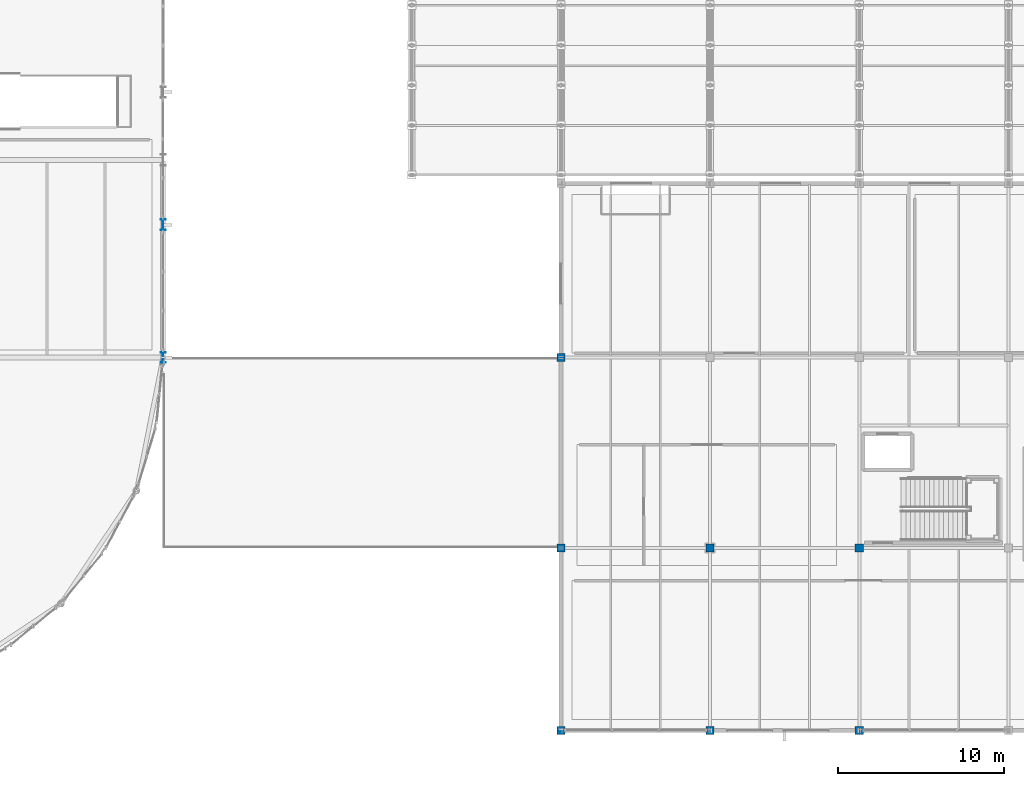
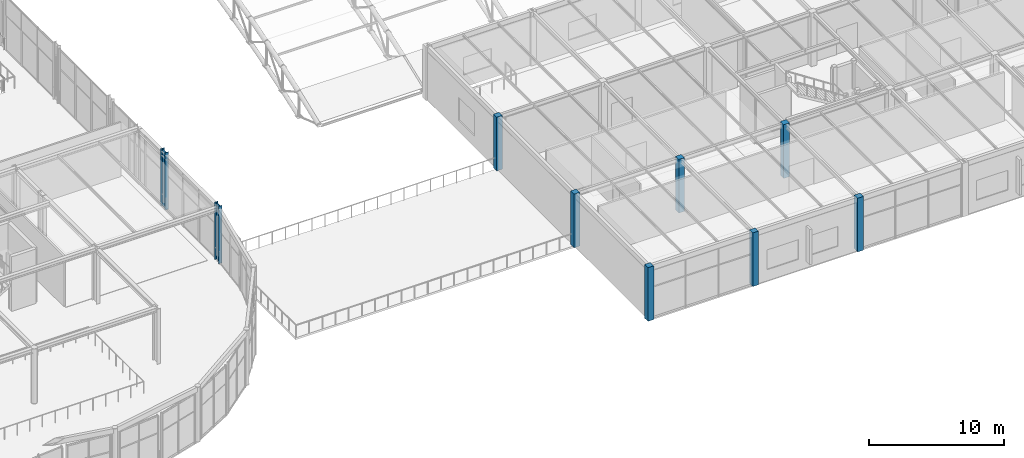
# One storey, part 8 of 195: 9 columns.
"""IFC4 building model written with IfcOpenShell, lengths in metres."""

from ifc_helpers import new_model, si_unit, direction, frame, origin, origin_2d, place, context, subcontext, project, spatial, rectangle, i_section, extrude, material, material_profile, profile_set, type_object, element, save


model = new_model("IFC4")

# Units and contexts
model_context = context("Model", 3, precision=1e-05, world=origin(), true_north=direction((0.0, 1.0)))
body_context = subcontext(model_context, "Body", "Model", "MODEL_VIEW")
ifc_project = project(units=[si_unit("LENGTHUNIT", "METRE"), si_unit("AREAUNIT", "SQUARE_METRE"), si_unit("VOLUMEUNIT", "CUBIC_METRE"), si_unit("PLANEANGLEUNIT", "RADIAN"), si_unit("MASSUNIT", "GRAM", prefix="KILO")], contexts=[model_context])

# Site, building, storey
site_placement = place(None, origin())
site = spatial("IfcSite", under=ifc_project, at=site_placement, CompositionType="ELEMENT")
building_placement = place(site_placement, origin())
building = spatial("IfcBuilding", under=site, at=building_placement, Name="Marlcrest Central Station", CompositionType="ELEMENT")
storey_placement = place(building_placement, frame((0.0, 0.0, 9.800048828125)))
storey = spatial("IfcBuildingStorey", under=building, at=storey_placement, Name="L02", CompositionType="ELEMENT", Elevation=9.800048828125)

# Columns
ifc_material_1 = material(Name="Concrete C40/50", Category="concrete")
ifc_material_profile_1 = material_profile(ifc_material_1, rectangle(XDim=0.5, YDim=0.5, at=origin_2d()), Name="RC 500x500")
ifc_profile_set_1 = profile_set([ifc_material_profile_1], Name="Concrete C40/50")
column_type_1 = type_object("IfcColumnType", Name="RC-02", PredefinedType="COLUMN", material=ifc_profile_set_1)
for number, where, z_axis, x_axis, name in (
    (1, (153.0, 0.0, 0.0), (0.0, 0.0, 1.0), (1.0, 0.0, 0.0), "col-RC-02-L02-0334"),
    (2, (153.0, 11.0, 0.0), (0.0, 0.0, 1.0), (1.0, 0.0, 0.0), "col-RC-02-L02-0335"),
    (3, (153.0, 22.5, 0.0), (0.0, 0.0, 1.0), (1.0, 0.0, 0.0), "col-RC-02-L02-0336"),
    (4, (162.0, 0.0, 0.0), (0.0, 0.0, 1.0), (1.0, 0.0, 0.0), "col-RC-02-L02-0338"),
    (5, (162.0, 11.0, 0.0), (0.0, 0.0, 1.0), (1.0, 0.0, 0.0), "col-RC-02-L02-0339"),
    (6, (171.0, 0.0, 0.0), (0.0, 0.0, 1.0), (1.0, 0.0, 0.0), "col-RC-02-L02-0342"),
    (7, (171.0, 11.0, 0.0), (0.0, 0.0, 1.0), (1.0, 0.0, 0.0), "col-RC-02-L02-0343"),
):
    element("IfcColumn", number, at=place(storey_placement, frame(where, z_axis=z_axis, x_axis=x_axis)), inside=storey, type_object=column_type_1, Name=name, PredefinedType="COLUMN", context=body_context, shape_type="SweptSolid", body=[
        extrude(rectangle(XDim=0.5, YDim=0.5, at=origin_2d()), origin(), (0.0, 0.0, 1.0), 4.869873046875),
    ])
ifc_material_2 = material(Name="Steel S355", Category="steel")
ifc_material_profile_2 = material_profile(ifc_material_2, i_section(OverallWidth=0.300048828125, OverallDepth=0.64990234375, WebThickness=0.01611328125, FlangeThickness=0.031005859375, FilletRadius=0.027099609375, at=origin_2d()), Name="HEB 650")
ifc_profile_set_2 = profile_set([ifc_material_profile_2], Name="Steel S355")
column_type_2 = type_object("IfcColumnType", Name="SC-06", PredefinedType="COLUMN", material=ifc_profile_set_2)
for number, where, z_axis, x_axis, name in (
    (8, (129.0, 22.5, 0.0), (0.0, 0.0, 1.0), (1.0, 0.0, 0.0), "col-SC-06-L02-0683"),
    (9, (129.0, 30.5, 0.0), (0.0, 0.0, 1.0), (1.0, 0.0, 0.0), "col-SC-06-L02-0701"),
):
    element("IfcColumn", number, at=place(storey_placement, frame(where, z_axis=z_axis, x_axis=x_axis)), inside=storey, type_object=column_type_2, Name=name, PredefinedType="COLUMN", context=body_context, shape_type="SweptSolid", body=[
        extrude(i_section(OverallWidth=0.300048828125, OverallDepth=0.64990234375, WebThickness=0.01611328125, FlangeThickness=0.031005859375, FilletRadius=0.027099609375, at=origin_2d()), origin(), (0.0, 0.0, 1.0), 5.199951171875),
    ])

save(model, "model.ifc")
